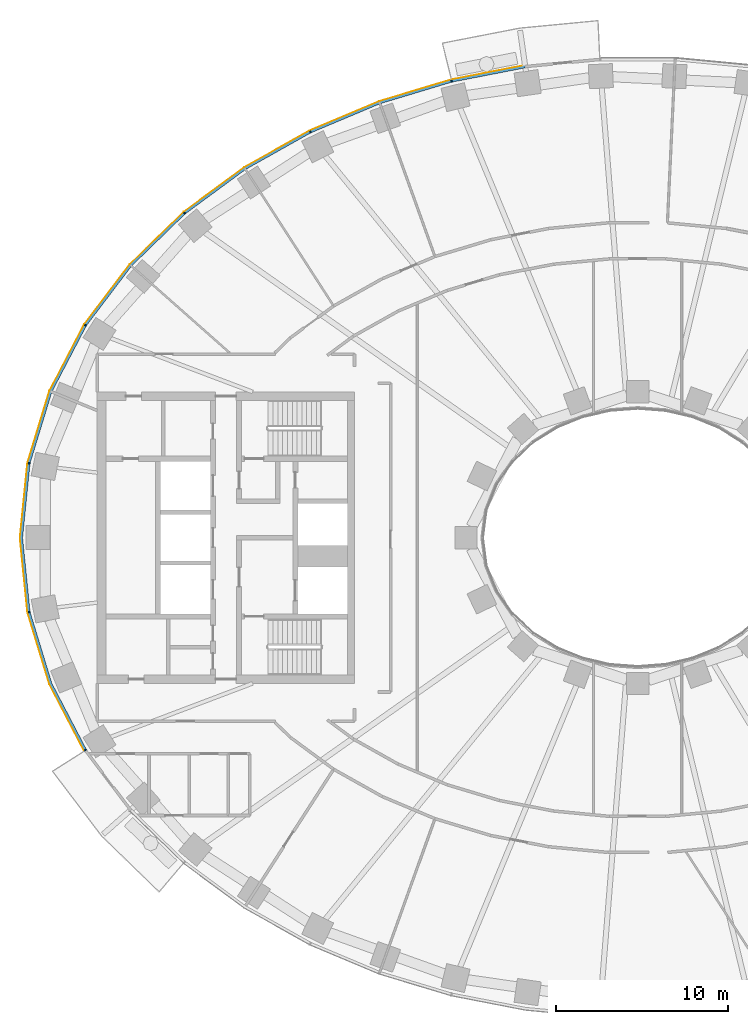
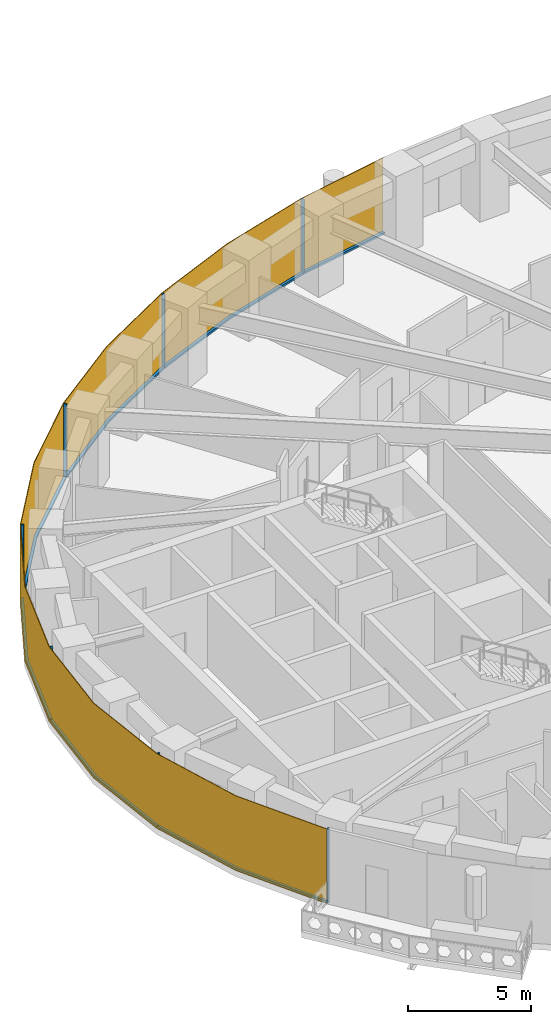
# One storey, part 11 of 16: 14 members, 1 curtain wall.
"""IFC4 building model written with IfcOpenShell, lengths in metres."""

from ifc_helpers import new_model, si_unit, direction, frame, origin, origin_2d, place, context, subcontext, project, spatial, polyline, rectangle, outline, extrude, material, layer, layer_set, material_profile, profile_set, type_object, element, aggregate, save


model = new_model("IFC4")

# Units and contexts
model_context = context("Model", 3, precision=1e-05, world=origin(), true_north=direction((0.0, 1.0)))
body_context = subcontext(model_context, "Body", "Model", "MODEL_VIEW")
ifc_project = project(units=[si_unit("LENGTHUNIT", "METRE"), si_unit("AREAUNIT", "SQUARE_METRE"), si_unit("VOLUMEUNIT", "CUBIC_METRE"), si_unit("PLANEANGLEUNIT", "RADIAN"), si_unit("MASSUNIT", "GRAM", prefix="KILO")], contexts=[model_context])

# Member
ifc_material_1 = material(Name="Aluminium 6063-T6 black anodised", Category="aluminium")
ifc_material_profile = material_profile(ifc_material_1, rectangle(XDim=0.1201171875, YDim=0.06005859375, at=origin_2d()), Name="120x60")
ifc_profile_set = profile_set([ifc_material_profile], Name="Aluminium 6063-T6 black anodised")
member_type_1 = type_object("IfcMemberType", Name="ENV-MULLION-A-120", PredefinedType="MULLION", material=ifc_profile_set)
site_placement = place(None, origin())
building_placement = place(site_placement, origin())
storey_placement = place(building_placement, frame((0.0, 0.0, 66.5)))
member_1_placement = place(storey_placement, frame((-10.84326171875, 26.60498046875, 0.0), z_axis=(0.0, 0.0, 1.0), x_axis=(0.239799081534, -0.970822538106, 0.0)))
member_1 = element("IfcMember", 1, at=member_1_placement, type_object=member_type_1, Name="Mullion A radial 15", PredefinedType="MULLION", context=body_context, shape_type="SweptSolid", body=[
    extrude(rectangle(XDim=0.1201171875, YDim=0.06005859375, at=origin_2d()), origin(), (0.0, 0.0, 1.0), 3.699951171875),
])

member_2_placement = place(storey_placement, frame((-19.06787109375, 23.6474609375, 0.0), z_axis=(0.0, 0.0, 1.0), x_axis=(0.439237769837, -0.898370848563, 0.0)))
member_2 = element("IfcMember", 2, at=member_2_placement, type_object=member_type_1, Name="Mullion A radial 17", PredefinedType="MULLION", context=body_context, shape_type="SweptSolid", body=[
    extrude(rectangle(XDim=0.1201171875, YDim=0.06005859375, at=origin_2d()), origin(), (0.0, 0.0, 1.0), 3.699951171875),
])

member_3_placement = place(storey_placement, frame((-26.403564453125, 18.9130859375, 0.0), z_axis=(0.0, 0.0, 1.0), x_axis=(0.646451313783, -0.762955240435, 0.0)))
member_3 = element("IfcMember", 3, at=member_3_placement, type_object=member_type_1, Name="Mullion A radial 19", PredefinedType="MULLION", context=body_context, shape_type="SweptSolid", body=[
    extrude(rectangle(XDim=0.1201171875, YDim=0.06005859375, at=origin_2d()), origin(), (0.0, 0.0, 1.0), 3.699951171875),
])

member_4_placement = place(storey_placement, frame((-32.177490234375, 12.385498046875, 0.0), z_axis=(0.0, 0.0, 1.0), x_axis=(0.844829880882, -0.53503501976, 0.0)))
member_4 = element("IfcMember", 4, at=member_4_placement, type_object=member_type_1, Name="Mullion A radial 21", PredefinedType="MULLION", context=body_context, shape_type="SweptSolid", body=[
    extrude(rectangle(XDim=0.1201171875, YDim=0.06005859375, at=origin_2d()), origin(), (0.0, 0.0, 1.0), 3.699951171875),
])

member_5_placement = place(storey_placement, frame((-35.470947265625, 4.340576171875, 0.0), z_axis=(0.0, 0.0, 1.0), x_axis=(0.980379083141, -0.19712141776, 0.0)))
member_5 = element("IfcMember", 5, at=member_5_placement, type_object=member_type_1, Name="Mullion A radial 23", PredefinedType="MULLION", context=body_context, shape_type="SweptSolid", body=[
    extrude(rectangle(XDim=0.1201171875, YDim=0.06005859375, at=origin_2d()), origin(), (0.0, 0.0, 1.0), 3.699951171875),
])

member_6_placement = place(storey_placement, frame((-35.470947265625, -4.340576171875, 0.0), z_axis=(0.0, 0.0, 1.0), x_axis=(0.980379083141, 0.19712141776, 0.0)))
member_6 = element("IfcMember", 6, at=member_6_placement, type_object=member_type_1, Name="Mullion A radial 25", PredefinedType="MULLION", context=body_context, shape_type="SweptSolid", body=[
    extrude(rectangle(XDim=0.1201171875, YDim=0.06005859375, at=origin_2d()), origin(), (0.0, 0.0, 1.0), 3.699951171875),
])

member_7_placement = place(storey_placement, frame((-32.177490234375, -12.385498046875, 0.0), z_axis=(0.0, 0.0, 1.0), x_axis=(0.844829880882, 0.53503501976, 0.0)))
member_7 = element("IfcMember", 7, at=member_7_placement, type_object=member_type_1, Name="Mullion A radial 27", PredefinedType="MULLION", context=body_context, shape_type="SweptSolid", body=[
    extrude(rectangle(XDim=0.1201171875, YDim=0.06005859375, at=origin_2d()), origin(), (0.0, 0.0, 1.0), 3.699951171875),
])

ifc_material_2 = material(Name="Aluminium 6063-T6 black anodised", Category="aluminium")
member_type_2 = type_object("IfcMemberType", Name="ENV-TRANSOM-A", PredefinedType="USERDEFINED", material=ifc_material_2)
member_8_placement = place(storey_placement, origin())
member_8 = element("IfcMember", 8, at=member_8_placement, type_object=member_type_2, Name="Transom A radial 14-15", ObjectType="TRANSOM", PredefinedType="USERDEFINED", context=body_context, shape_type="SweptSolid", body=[
    extrude(outline(polyline([(-6.57470703125, 27.49560546875), (-10.830078125, 26.66845703125), (-10.80126953125, 26.552001953125), (-6.5576171875, 27.376708984375), (-6.57470703125, 27.49560546875)])), origin(), (0.0, 0.0, 1.0), 0.10009765625),
])

member_9_placement = place(storey_placement, origin())
member_9 = element("IfcMember", 9, at=member_9_placement, type_object=member_type_2, Name="Transom A radial 15-17", ObjectType="TRANSOM", PredefinedType="USERDEFINED", context=body_context, shape_type="SweptSolid", body=[
    extrude(outline(polyline([(-10.884521484375, 26.655029296875), (-15.054443359375, 25.400146484375), (-19.068359375, 23.71240234375), (-19.015380859375, 23.604248046875), (-15.013916015625, 25.287109375), (-10.855712890625, 26.53857421875), (-10.884521484375, 26.655029296875)])), origin(), (0.0, 0.0, 1.0), 0.10009765625),
])

member_10_placement = place(storey_placement, origin())
member_10 = element("IfcMember", 10, at=member_10_placement, type_object=member_type_2, Name="Transom A radial 17-19", ObjectType="TRANSOM", PredefinedType="USERDEFINED", context=body_context, shape_type="SweptSolid", body=[
    extrude(outline(polyline([(-19.11865234375, 23.687744140625), (-22.9150390625, 21.556884765625), (-26.419921875, 18.975341796875), (-26.342041015625, 18.883544921875), (-22.85009765625, 21.455810546875), (-19.06591796875, 23.57958984375), (-19.11865234375, 23.687744140625)])), origin(), (0.0, 0.0, 1.0), 0.10009765625),
])

member_11_placement = place(storey_placement, origin())
member_11 = element("IfcMember", 11, at=member_11_placement, type_object=member_type_2, Name="Transom A radial 19-21", ObjectType="TRANSOM", PredefinedType="USERDEFINED", context=body_context, shape_type="SweptSolid", body=[
    extrude(outline(polyline([(-26.46240234375, 18.939208984375), (-29.58349609375, 15.906982421875), (-32.211181640625, 12.43994140625), (-32.109375, 12.37548828125), (-29.493408203125, 15.8271484375), (-26.384765625, 18.847412109375), (-26.46240234375, 18.939208984375)])), origin(), (0.0, 0.0, 1.0), 0.10009765625),
])

member_12_placement = place(storey_placement, origin())
member_12 = element("IfcMember", 12, at=member_12_placement, type_object=member_type_2, Name="Transom A radial 21-23", ObjectType="TRANSOM", PredefinedType="USERDEFINED", context=body_context, shape_type="SweptSolid", body=[
    extrude(outline(polyline([(-32.240966796875, 12.392578125), (-34.251220703125, 8.53662109375), (-35.521484375, 4.379150390625), (-35.4033203125, 4.355224609375), (-34.139892578125, 8.490966796875), (-32.139404296875, 12.328369140625), (-32.240966796875, 12.392578125)])), origin(), (0.0, 0.0, 1.0), 0.10009765625),
])

member_13_placement = place(storey_placement, origin())
member_13 = element("IfcMember", 13, at=member_13_placement, type_object=member_type_2, Name="Transom A radial 23-25", ObjectType="TRANSOM", PredefinedType="USERDEFINED", context=body_context, shape_type="SweptSolid", body=[
    extrude(outline(polyline([(-35.532470703125, 4.324462890625), (-35.9677734375, 0.0), (-35.532470703125, -4.324462890625), (-35.414306640625, -4.30078125), (-35.84716796875, 0.0), (-35.414306640625, 4.30078125), (-35.532470703125, 4.324462890625)])), origin(), (0.0, 0.0, 1.0), 0.10009765625),
])

member_14_placement = place(storey_placement, origin())
member_14 = element("IfcMember", 14, at=member_14_placement, type_object=member_type_2, Name="Transom A radial 25-27", ObjectType="TRANSOM", PredefinedType="USERDEFINED", context=body_context, shape_type="SweptSolid", body=[
    extrude(outline(polyline([(-35.521484375, -4.379150390625), (-34.251220703125, -8.53662109375), (-32.240966796875, -12.392578125), (-32.139404296875, -12.328369140625), (-34.139892578125, -8.490966796875), (-35.4033203125, -4.355224609375), (-35.521484375, -4.379150390625)])), origin(), (0.0, 0.0, 1.0), 0.10009765625),
])

# Site, building, storey
site = spatial("IfcSite", under=ifc_project, at=site_placement, CompositionType="ELEMENT")
building = spatial("IfcBuilding", under=site, at=building_placement, Name="Noorbagh Ring Tower", CompositionType="ELEMENT")
storey = spatial("IfcBuildingStorey", under=building, at=storey_placement, Name="L14", CompositionType="ELEMENT", Elevation=66.5)

# Curtain wall
ifc_material_3 = material(Name="Glass dark tinted laminated", Category="glass")
ifc_layer = layer(ifc_material_3, 0.031982421875)
ifc_layer_set = layer_set([ifc_layer], Name="Glass dark tinted laminated")
curtain_wall_type = type_object("IfcCurtainWallType", Name="ENV-CW-A", PredefinedType="NOTDEFINED", material=ifc_layer_set)
curtain_wall_placement = place(storey_placement, origin())
curtain_wall = element("IfcCurtainWall", 15, at=curtain_wall_placement, inside=storey, type_object=curtain_wall_type, Name="Curtain wall A R14", PredefinedType="NOTDEFINED", context=body_context, shape_type="SweptSolid", body=[
    extrude(outline(polyline([(-6.579345703125, 27.52734375), (-10.865234375, 26.6943359375), (-15.065185546875, 25.430419921875), (-19.108154296875, 23.730224609375), (-22.9326171875, 21.583740234375), (-26.463134765625, 18.9833984375), (-29.607666015625, 15.927978515625), (-32.255126953125, 12.434814453125), (-34.281005859375, 8.548828125), (-35.561279296875, 4.358642578125), (-36.0, 0.0), (-35.561279296875, -4.358642578125), (-34.281005859375, -8.548828125), (-32.264404296875, -12.4169921875), (-32.2373046875, -12.39990234375), (-34.251220703125, -8.53662109375), (-35.529541015625, -4.352294921875), (-35.9677734375, 0.0), (-35.529541015625, 4.352294921875), (-34.251220703125, 8.53662109375), (-32.22802734375, 12.41748046875), (-29.58349609375, 15.906982421875), (-26.4423828125, 18.958740234375), (-22.9150390625, 21.556884765625), (-19.093994140625, 23.701416015625), (-15.054443359375, 25.400146484375), (-10.857666015625, 26.6630859375), (-6.57470703125, 27.49560546875), (-6.579345703125, 27.52734375)])), origin(), (0.0, 0.0, 1.0), 3.699951171875),
])

aggregate(curtain_wall, [member_1, member_2, member_3, member_4, member_5, member_6, member_7, member_8, member_9, member_10, member_11, member_12, member_13, member_14])

save(model, "model.ifc")
